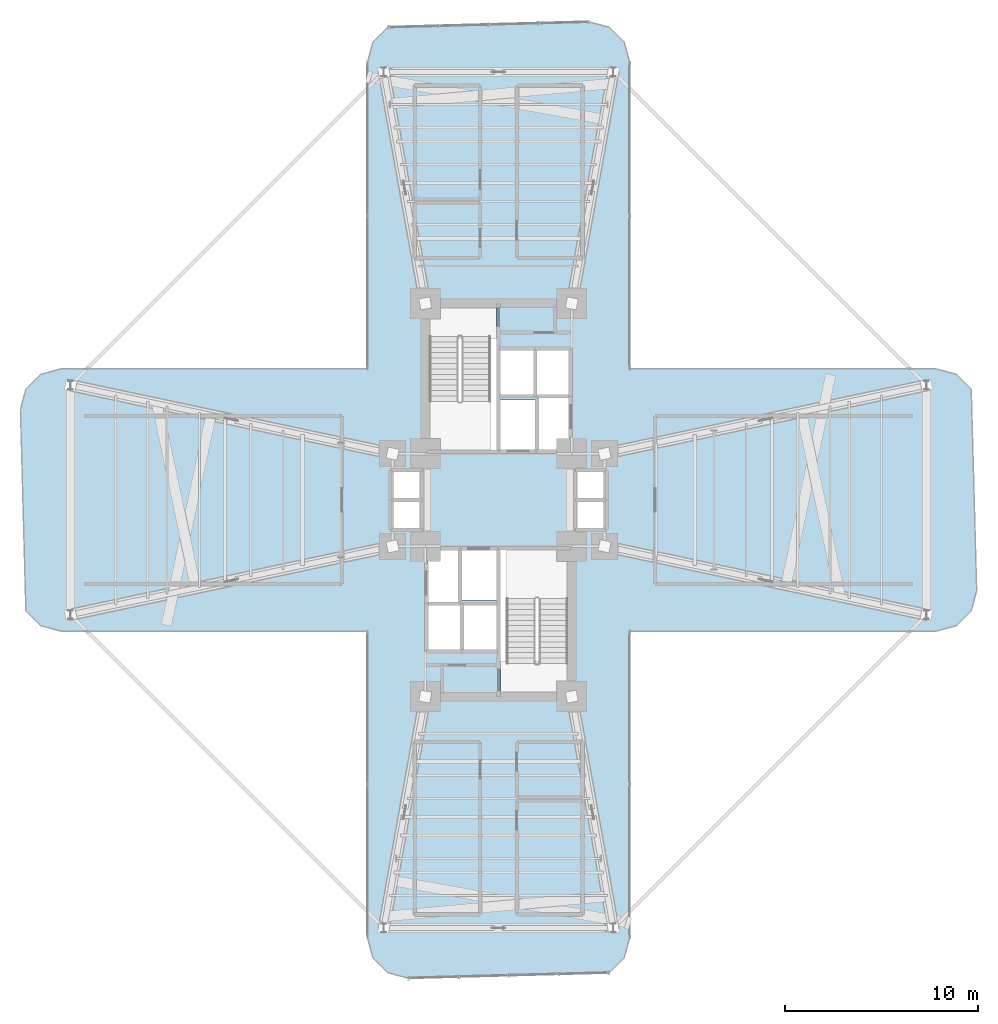
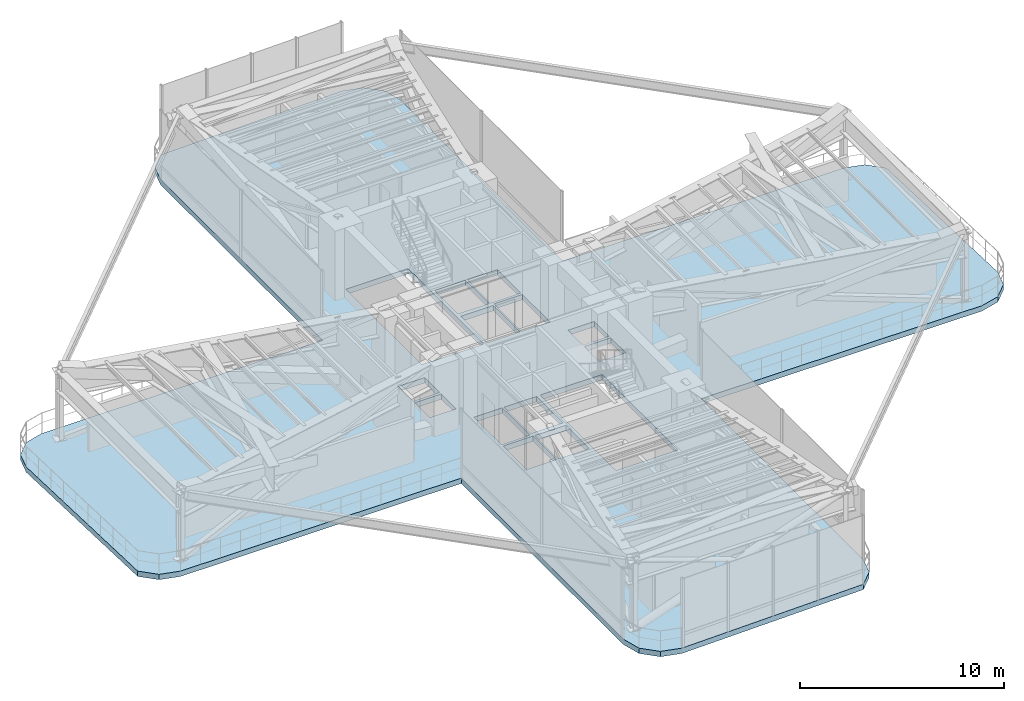
# One storey, part 10 of 18: 1 slab.
"""IFC4 building model written with IfcOpenShell, lengths in metres."""

from ifc_helpers import new_model, si_unit, direction, frame, origin, place, context, subcontext, project, spatial, polyline, outline, extrude, material, layer, layer_set, type_object, element, save


model = new_model("IFC4")

# Units and contexts
model_context = context("Model", 3, precision=1e-05, world=origin(), true_north=direction((0.0, 1.0)))
body_context = subcontext(model_context, "Body", "Model", "MODEL_VIEW")
ifc_project = project(units=[si_unit("LENGTHUNIT", "METRE"), si_unit("AREAUNIT", "SQUARE_METRE"), si_unit("VOLUMEUNIT", "CUBIC_METRE"), si_unit("PLANEANGLEUNIT", "RADIAN"), si_unit("MASSUNIT", "GRAM", prefix="KILO")], contexts=[model_context])

# Site, building, storey
site_placement = place(None, origin())
site = spatial("IfcSite", under=ifc_project, at=site_placement, CompositionType="ELEMENT")
building_placement = place(site_placement, origin())
building = spatial("IfcBuilding", under=site, at=building_placement, Name="Sahyath Konkavel Grand Hotel", CompositionType="ELEMENT")
storey_placement = place(building_placement, frame((0.0, 0.0, 74.5)))
storey = spatial("IfcBuildingStorey", under=building, at=storey_placement, Name="L20", CompositionType="ELEMENT", Elevation=74.5)

# Slab
ifc_material = material(Name="Concrete C50/60", Category="concrete")
ifc_layer = layer(ifc_material, 0.320068359375)
ifc_layer_set = layer_set([ifc_layer], Name="Concrete C50/60")
slab_type = type_object("IfcSlabType", Name="SLB-320", PredefinedType="FLOOR", material=ifc_layer_set)
slab_placement = place(storey_placement, frame((0.0, 0.0, -0.320068359375)))
element("IfcSlab", 1, at=slab_placement, inside=storey, type_object=slab_type, Name="L20 Structural Floor Slab", PredefinedType="FLOOR", context=body_context, shape_type="SweptSolid", body=[
    extrude(outline(polyline([(6.800048828125, -6.800048828125), (22.699951171875, -6.800048828125), (23.75, -6.518798828125), (24.518798828125, -5.75), (24.800048828125, -4.699951171875), (24.518798828125, 5.75), (23.75, 6.518798828125), (22.699951171875, 6.800048828125), (6.800048828125, 6.800048828125), (6.800048828125, 22.699951171875), (6.518798828125, 23.75), (5.75, 24.518798828125), (4.699951171875, 24.800048828125), (-5.75, 24.518798828125), (-6.518798828125, 23.75), (-6.800048828125, 22.699951171875), (-6.800048828125, 6.800048828125), (-22.699951171875, 6.800048828125), (-23.75, 6.518798828125), (-24.518798828125, 5.75), (-24.800048828125, 4.699951171875), (-24.518798828125, -5.75), (-23.75, -6.518798828125), (-22.699951171875, -6.800048828125), (-6.800048828125, -6.800048828125), (-6.800048828125, -22.699951171875), (-6.518798828125, -23.75), (-5.75, -24.518798828125), (-4.699951171875, -24.800048828125), (5.75, -24.518798828125), (6.518798828125, -23.75), (6.800048828125, -22.699951171875), (6.800048828125, -6.800048828125)]), holes=[polyline([(-3.6201171875, 2.580078125), (-0.10009765625, 2.580078125), (-0.10009765625, 10.02001953125), (-3.6201171875, 10.02001953125), (-3.6201171875, 2.580078125)]), polyline([(0.10009765625, -10.02001953125), (3.6201171875, -10.02001953125), (3.6201171875, -2.580078125), (0.10009765625, -2.580078125), (0.10009765625, -10.02001953125)]), polyline([(0.10009765625, 2.60009765625), (1.949951171875, 2.60009765625), (1.949951171875, 5.199951171875), (0.10009765625, 5.199951171875), (0.10009765625, 2.60009765625)]), polyline([(-1.949951171875, -5.199951171875), (-0.10009765625, -5.199951171875), (-0.10009765625, -2.60009765625), (-1.949951171875, -2.60009765625), (-1.949951171875, -5.199951171875)]), polyline([(2.050048828125, 2.60009765625), (3.64990234375, 2.60009765625), (3.64990234375, 5.300048828125), (2.050048828125, 5.300048828125), (2.050048828125, 2.60009765625)]), polyline([(-3.64990234375, -5.300048828125), (-2.050048828125, -5.300048828125), (-2.050048828125, -2.60009765625), (-3.64990234375, -2.60009765625), (-3.64990234375, -5.300048828125)]), polyline([(0.10009765625, 5.449951171875), (1.85009765625, 5.449951171875), (1.85009765625, 7.75), (0.10009765625, 7.75), (0.10009765625, 5.449951171875)]), polyline([(1.949951171875, 5.449951171875), (3.64990234375, 5.449951171875), (3.64990234375, 7.75), (1.949951171875, 7.75), (1.949951171875, 5.449951171875)]), polyline([(-3.64990234375, -7.75), (-1.949951171875, -7.75), (-1.949951171875, -5.449951171875), (-3.64990234375, -5.449951171875), (-3.64990234375, -7.75)]), polyline([(-1.85009765625, -7.75), (-0.10009765625, -7.75), (-0.10009765625, -5.449951171875), (-1.85009765625, -5.449951171875), (-1.85009765625, -7.75)]), polyline([(4.050048828125, 0.080078125), (5.550048828125, 0.080078125), (5.550048828125, 1.5400390625), (4.050048828125, 1.5400390625), (4.050048828125, 0.080078125)]), polyline([(4.050048828125, -1.5400390625), (5.550048828125, -1.5400390625), (5.550048828125, -0.080078125), (4.050048828125, -0.080078125), (4.050048828125, -1.5400390625)]), polyline([(-5.550048828125, 0.080078125), (-4.050048828125, 0.080078125), (-4.050048828125, 1.5400390625), (-5.550048828125, 1.5400390625), (-5.550048828125, 0.080078125)]), polyline([(-5.550048828125, -1.5400390625), (-4.050048828125, -1.5400390625), (-4.050048828125, -0.080078125), (-5.550048828125, -0.080078125), (-5.550048828125, -1.5400390625)])]), origin(), (0.0, 0.0, 1.0), 0.320068359375),
])

save(model, "model.ifc")
